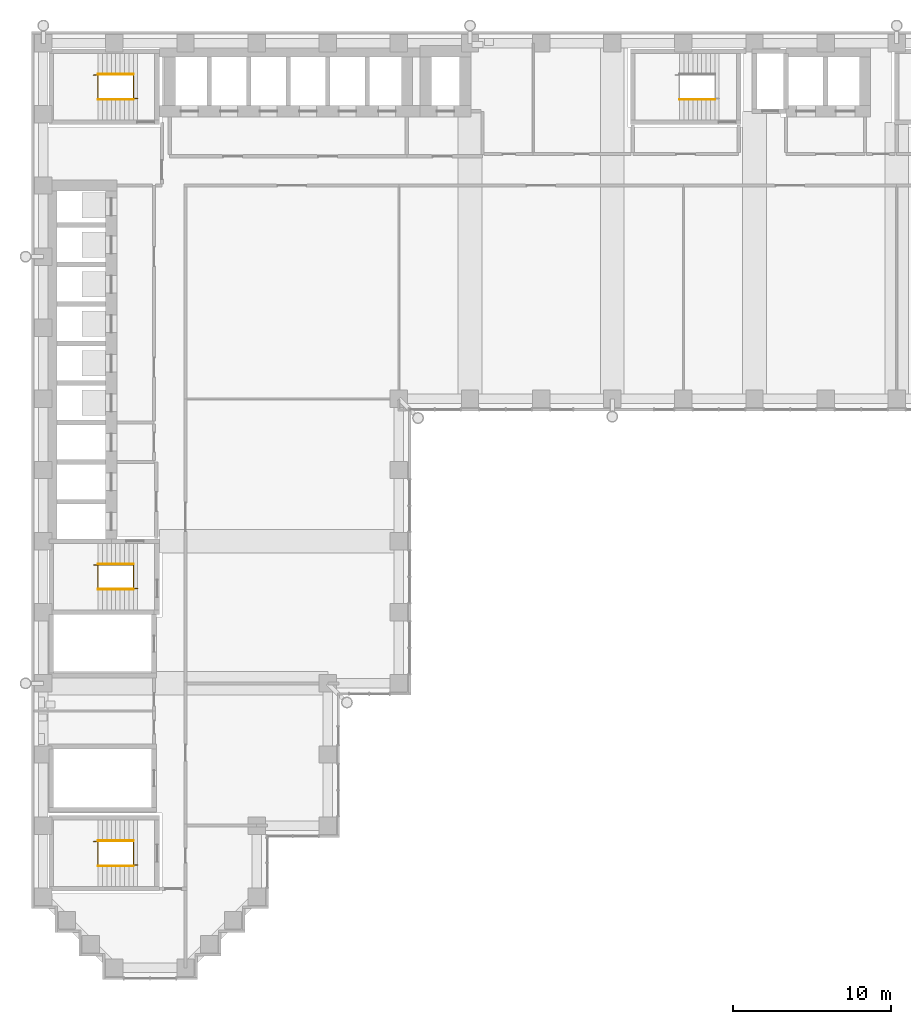
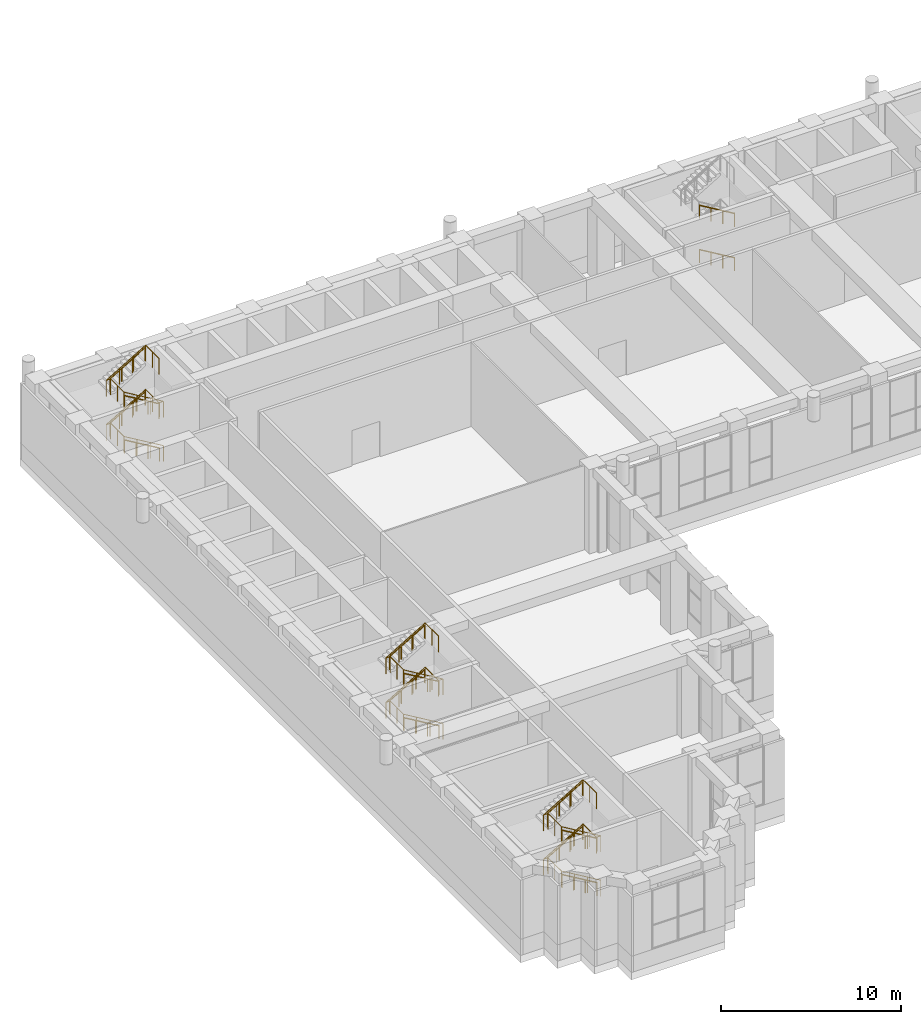
# One storey, part 19 of 22: 17 railings.
"""IFC4 building model written with IfcOpenShell, lengths in metres."""

import ifcopenshell
import ifcopenshell.guid

model = None  # the IFC model being written
_history = None  # IfcOwnerHistory: only IFC2X3 demands one
_inside = {}  # id of a spatial element -> (the spatial element, [elements in it])
_under = {}  # id of a project, library or spatial element -> (it, [spatial elements below it])
_declared = {}  # id of a project -> (the project, [libraries it declares])
_typed = {}  # id of a type object -> (the type object, [elements of that type])
_made_of = {}  # id of a material, layer set ... -> (it, [elements and type objects made of it])


def new_model(schema):
    """Start an empty IFC model of exactly this schema.

    Asked for "IFC4X3", IfcOpenShell would pick the latest addendum, in which some entities
    have other attributes; the version numbers below select the first issue.
    IFC2X3 requires an IfcOwnerHistory on every rooted entity: one is made here for all.
    """
    global model, _history
    if schema == "IFC4X3":
        model = ifcopenshell.file(schema_version=(4, 3, 0, 0))
    else:
        model = ifcopenshell.file(schema=schema)
    _inside.clear()
    _under.clear()
    _declared.clear()
    _typed.clear()
    _made_of.clear()
    _history = None
    if model.schema == "IFC2X3":
        org = make("IfcOrganization", Name="unknown")
        user = make(
            "IfcPersonAndOrganization",
            ThePerson=make("IfcPerson", FamilyName="unknown"),
            TheOrganization=org,
        )
        app = make(
            "IfcApplication",
            ApplicationDeveloper=org,
            Version="unknown",
            ApplicationFullName="unknown",
            ApplicationIdentifier="unknown",
        )
        _history = make(
            "IfcOwnerHistory",
            OwningUser=user,
            OwningApplication=app,
            ChangeAction="ADDED",
            CreationDate=0,
        )
    return model


def make(cls, **values):
    """One entity of the class cls with the attributes given. An attribute that is None is left unset."""
    return model.create_entity(
        cls, **{name: value for name, value in values.items() if value is not None}
    )


def rooted(cls, **values):
    """An entity with a GlobalId (a new one), such as an element, a storey or a relation."""
    return make(cls, GlobalId=ifcopenshell.guid.new(), OwnerHistory=_history, **values)


def si_unit(unit_type, name, prefix=None):
    """IfcSIUnit, for example si_unit("LENGTHUNIT", "METRE", prefix="MILLI")."""
    return make("IfcSIUnit", UnitType=unit_type, Prefix=prefix, Name=name)


def assignment(units):
    """IfcUnitAssignment: the units of a project."""
    return None if units is None else make("IfcUnitAssignment", Units=units)


def point(xyz):
    """IfcCartesianPoint."""
    return None if xyz is None else make("IfcCartesianPoint", Coordinates=xyz)


def direction(xyz):
    """IfcDirection."""
    return None if xyz is None else make("IfcDirection", DirectionRatios=xyz)


def frame(location, z_axis=None, x_axis=None):
    """IfcAxis2Placement3D, a coordinate frame: its origin and axes. An axis left out is left unset."""
    return make(
        "IfcAxis2Placement3D",
        Location=point(location),
        Axis=direction(z_axis),
        RefDirection=direction(x_axis),
    )


def frame_2d(location, x_axis=None):
    """IfcAxis2Placement2D, a coordinate frame in the plane: its origin and x axis."""
    return make(
        "IfcAxis2Placement2D", Location=point(location), RefDirection=direction(x_axis)
    )


def origin():
    """The frame at (0, 0, 0) with its axes left unset."""
    return frame((0.0, 0.0, 0.0))


def origin_2d():
    """The frame at (0, 0) in the plane with its x axis left unset."""
    return frame_2d((0.0, 0.0))


def place(relative_to, where):
    """IfcLocalPlacement: puts the frame where relative to a parent placement (None: the world)."""
    return make(
        "IfcLocalPlacement", PlacementRelTo=relative_to, RelativePlacement=where
    )


def context(
    kind, dimensions, precision=None, world=None, true_north=None, identifier=None
):
    """IfcGeometricRepresentationContext, for example the 3D "Model" context."""
    return make(
        "IfcGeometricRepresentationContext",
        ContextIdentifier=identifier,
        ContextType=kind,
        CoordinateSpaceDimension=dimensions,
        Precision=precision,
        WorldCoordinateSystem=world,
        TrueNorth=true_north,
    )


def subcontext(parent, identifier, kind, view, scale=None):
    """IfcGeometricRepresentationSubContext, for example "Body" below "Model"."""
    return make(
        "IfcGeometricRepresentationSubContext",
        ContextIdentifier=identifier,
        ContextType=kind,
        ParentContext=parent,
        TargetScale=scale,
        TargetView=view,
    )


def project(units=None, contexts=None):
    """IfcProject with its units and contexts."""
    return rooted(
        "IfcProject",
        Name="project",
        RepresentationContexts=contexts,
        UnitsInContext=assignment(units),
    )


def spatial(cls, under=None, at=None, **own):
    """A site, building, storey or space (cls), placed at a placement, below another one or the project."""
    s = rooted(cls, ObjectPlacement=at, **own)
    if under is not None:
        _under.setdefault(under.id(), (under, []))[1].append(s)
    return s


def profile(cls, at=None, kind="AREA", **sizes):
    """A parametric profile (cls). Its sizes go by their IFC names, for example OverallWidth=200.0."""
    return make(cls, ProfileType=kind, Position=at, **sizes)


def circle(**sizes):
    """IfcCircleProfileDef."""
    return profile("IfcCircleProfileDef", **sizes)


def extrude(swept, where, along, depth):
    """IfcExtrudedAreaSolid: the profile swept, set in the frame where, extruded along a direction by depth."""
    return make(
        "IfcExtrudedAreaSolid",
        SweptArea=swept,
        Position=where,
        ExtrudedDirection=direction(along),
        Depth=depth,
    )


def shape(context_of_items, identifier, shape_type, items):
    """IfcShapeRepresentation: the items that make up one representation, for example the "Body"."""
    return make(
        "IfcShapeRepresentation",
        ContextOfItems=context_of_items,
        RepresentationIdentifier=identifier,
        RepresentationType=shape_type,
        Items=items,
    )


def material(Name=None, Category=None):
    """IfcMaterial."""
    return make("IfcMaterial", Name=Name, Category=Category)


def made_of(thing, what):
    """Note that an element or type object is made of a material, layer set ...; save() writes the relation."""
    if what is not None:
        _made_of.setdefault(what.id(), (what, []))[1].append(thing)
    return thing


def type_object(cls, material=None, **own):
    """A type object (cls), such as IfcWallType, which elements share."""
    return made_of(rooted(cls, **own), material)


def element(
    cls,
    number,
    at=None,
    inside=None,
    cuts=None,
    type_object=None,
    material=None,
    context=None,
    identifier="Body",
    shape_type=None,
    held_by="IfcProductDefinitionShape",
    body=None,
    shapes=None,
    **own,
):
    """One element of the class cls, such as IfcWall. Its Tag is "e" and its number.

    at: its placement. inside: the storey or other place that contains it. cuts: it is an
    opening in that element (IfcRelVoidsElement). A single representation is given by context,
    identifier, shape_type and body (its items); several are given by shapes. held_by: the class
    of the entity that holds the representations. save() writes the other relations.
    """
    e = rooted(cls, Tag="e%d" % number, ObjectPlacement=at, **own)
    if body is not None:
        shapes = [shape(context, identifier, shape_type, body)]
    if shapes is not None:
        e.Representation = make(held_by, Representations=shapes)
    if inside is not None:
        _inside.setdefault(inside.id(), (inside, []))[1].append(e)
    if cuts is not None:
        rooted(
            "IfcRelVoidsElement", RelatingBuildingElement=cuts, RelatedOpeningElement=e
        )
    if type_object is not None:
        _typed.setdefault(type_object.id(), (type_object, []))[1].append(e)
    return made_of(e, material)


def aggregate(whole, parts):
    """IfcRelAggregates: a whole, such as a stair, and the parts it consists of."""
    return rooted("IfcRelAggregates", RelatingObject=whole, RelatedObjects=parts)


def save(model, path):
    """Write the relations noted so far, then the file.

    IfcRelAggregates (storeys below a building ...), IfcRelContainedInSpatialStructure (elements
    in a storey), IfcRelDefinesByType, IfcRelAssociatesMaterial and IfcRelDeclares: one each for
    every whole, place, type object, material and project.
    """
    for whole, parts in _under.values():
        aggregate(whole, parts)
    for where, things in _inside.values():
        rooted(
            "IfcRelContainedInSpatialStructure",
            RelatedElements=things,
            RelatingStructure=where,
        )
    for kind, things in _typed.values():
        rooted("IfcRelDefinesByType", RelatedObjects=things, RelatingType=kind)
    for what, things in _made_of.values():
        rooted("IfcRelAssociatesMaterial", RelatedObjects=things, RelatingMaterial=what)
    for by, libraries in _declared.values():
        rooted("IfcRelDeclares", RelatingContext=by, RelatedDefinitions=libraries)
    model.write(path)


model = new_model("IFC4")

# Units and contexts
model_context = context("Model", 3, precision=1e-05, world=origin(), true_north=direction((0.0, 1.0)))
body_context = subcontext(model_context, "Body", "Model", "MODEL_VIEW")
ifc_project = project(units=[si_unit("LENGTHUNIT", "METRE"), si_unit("AREAUNIT", "SQUARE_METRE"), si_unit("VOLUMEUNIT", "CUBIC_METRE"), si_unit("PLANEANGLEUNIT", "RADIAN"), si_unit("MASSUNIT", "GRAM", prefix="KILO")], contexts=[model_context])

# Site, building, storey
site_placement = place(None, origin())
site = spatial("IfcSite", under=ifc_project, at=site_placement, CompositionType="ELEMENT")
building_placement = place(site_placement, origin())
building = spatial("IfcBuilding", under=site, at=building_placement, Name="Firuza Court", CompositionType="ELEMENT")
storey_placement = place(building_placement, frame((0.0, 0.0, 113.60009765625)))
storey = spatial("IfcBuildingStorey", under=building, at=storey_placement, Name="L28", CompositionType="ELEMENT", Elevation=113.60009765625)

# Railings
ifc_material_1 = material(Name="Steel S355", Category="steel")
railing_type_1 = type_object("IfcRailingType", Name="Handrail 900", PredefinedType="HANDRAIL", material=ifc_material_1)
for number, where, name in (
    (1, (42.5, 54.949951171875, 0.16650390625), "Handrail S1 flight 1"),
    (2, (42.5, 54.949951171875, 3.16650390625), "Handrail S1 flight 3"),
    (3, (5.699951171875, 23.949951171875, 0.16650390625), "Handrail S2 flight 1"),
):
    element("IfcRailing", number, at=place(storey_placement, frame(where)), inside=storey, type_object=railing_type_1, Name=name, PredefinedType="HANDRAIL", context=body_context, shape_type="SweptSolid", body=[
        extrude(circle(Radius=0.02490234375, at=origin_2d()), frame((0.0, 0.0, 0.875), z_axis=(-0.859264461869, 0.0, 0.511531606619), x_axis=(0.0, -1.0, 0.0)), (0.0, 0.0, 1.0), 2.60693359375),
        extrude(circle(Radius=0.02001953125, at=origin_2d()), origin(), (0.0, 0.0, 1.0), 0.849853515625),
        extrude(circle(Radius=0.02001953125, at=origin_2d()), frame((-0.74658203125, 0.0, 0.444580078125)), (0.0, 0.0, 1.0), 0.849853515625),
        extrude(circle(Radius=0.02001953125, at=origin_2d()), frame((-1.493408203125, 0.0, 0.888916015625)), (0.0, 0.0, 1.0), 0.849853515625),
        extrude(circle(Radius=0.02001953125, at=origin_2d()), frame((-2.239990234375, 0.0, 1.33349609375)), (0.0, 0.0, 1.0), 0.849853515625),
    ])
railing_1_placement = place(storey_placement, frame((3.4599609375, 25.550048828125, 1.66650390625)))
element("IfcRailing", 4, at=railing_1_placement, inside=storey, type_object=railing_type_1, Name="Handrail S2 flight 2", PredefinedType="HANDRAIL", context=body_context, shape_type="SweptSolid", body=[
    extrude(circle(Radius=0.02490234375, at=origin_2d()), frame((0.0, 0.0, 0.875), z_axis=(0.859264461869, 0.0, 0.511531606619), x_axis=(0.0, 1.0, 0.0)), (0.0, 0.0, 1.0), 2.60693359375),
    extrude(circle(Radius=0.02001953125, at=origin_2d()), origin(), (0.0, 0.0, 1.0), 0.849853515625),
    extrude(circle(Radius=0.02001953125, at=origin_2d()), frame((0.74658203125, 0.0, 0.444580078125)), (0.0, 0.0, 1.0), 0.849853515625),
    extrude(circle(Radius=0.02001953125, at=origin_2d()), frame((1.493408203125, 0.0, 0.888916015625)), (0.0, 0.0, 1.0), 0.849853515625),
    extrude(circle(Radius=0.02001953125, at=origin_2d()), frame((2.239990234375, 0.0, 1.33349609375)), (0.0, 0.0, 1.0), 0.849853515625),
])
railing_2_placement = place(storey_placement, frame((5.699951171875, 23.949951171875, 3.16650390625)))
element("IfcRailing", 5, at=railing_2_placement, inside=storey, type_object=railing_type_1, Name="Handrail S2 flight 3", PredefinedType="HANDRAIL", context=body_context, shape_type="SweptSolid", body=[
    extrude(circle(Radius=0.02490234375, at=origin_2d()), frame((0.0, 0.0, 0.875), z_axis=(-0.859264461869, 0.0, 0.511531606619), x_axis=(0.0, -1.0, 0.0)), (0.0, 0.0, 1.0), 2.60693359375),
    extrude(circle(Radius=0.02001953125, at=origin_2d()), origin(), (0.0, 0.0, 1.0), 0.849853515625),
    extrude(circle(Radius=0.02001953125, at=origin_2d()), frame((-0.74658203125, 0.0, 0.444580078125)), (0.0, 0.0, 1.0), 0.849853515625),
    extrude(circle(Radius=0.02001953125, at=origin_2d()), frame((-1.493408203125, 0.0, 0.888916015625)), (0.0, 0.0, 1.0), 0.849853515625),
    extrude(circle(Radius=0.02001953125, at=origin_2d()), frame((-2.239990234375, 0.0, 1.33349609375)), (0.0, 0.0, 1.0), 0.849853515625),
])
railing_3_placement = place(storey_placement, frame((3.4599609375, 25.550048828125, 4.66650390625)))
element("IfcRailing", 6, at=railing_3_placement, inside=storey, type_object=railing_type_1, Name="Handrail S2 flight 4", PredefinedType="HANDRAIL", context=body_context, shape_type="SweptSolid", body=[
    extrude(circle(Radius=0.02490234375, at=origin_2d()), frame((0.0, 0.0, 0.875), z_axis=(0.859264461869, 0.0, 0.511531606619), x_axis=(0.0, 1.0, 0.0)), (0.0, 0.0, 1.0), 2.60693359375),
    extrude(circle(Radius=0.02001953125, at=origin_2d()), origin(), (0.0, 0.0, 1.0), 0.849853515625),
    extrude(circle(Radius=0.02001953125, at=origin_2d()), frame((0.74658203125, 0.0, 0.444580078125)), (0.0, 0.0, 1.0), 0.849853515625),
    extrude(circle(Radius=0.02001953125, at=origin_2d()), frame((1.493408203125, 0.0, 0.888916015625)), (0.0, 0.0, 1.0), 0.849853515625),
    extrude(circle(Radius=0.02001953125, at=origin_2d()), frame((2.239990234375, 0.0, 1.33349609375)), (0.0, 0.0, 1.0), 0.849853515625),
])
railing_4_placement = place(storey_placement, frame((5.699951171875, 54.949951171875, 0.16650390625)))
element("IfcRailing", 7, at=railing_4_placement, inside=storey, type_object=railing_type_1, Name="Handrail S3 flight 1", PredefinedType="HANDRAIL", context=body_context, shape_type="SweptSolid", body=[
    extrude(circle(Radius=0.02490234375, at=origin_2d()), frame((0.0, 0.0, 0.875), z_axis=(-0.859264461869, 0.0, 0.511531606619), x_axis=(0.0, -1.0, 0.0)), (0.0, 0.0, 1.0), 2.60693359375),
    extrude(circle(Radius=0.02001953125, at=origin_2d()), origin(), (0.0, 0.0, 1.0), 0.849853515625),
    extrude(circle(Radius=0.02001953125, at=origin_2d()), frame((-0.74658203125, 0.0, 0.444580078125)), (0.0, 0.0, 1.0), 0.849853515625),
    extrude(circle(Radius=0.02001953125, at=origin_2d()), frame((-1.493408203125, 0.0, 0.888916015625)), (0.0, 0.0, 1.0), 0.849853515625),
    extrude(circle(Radius=0.02001953125, at=origin_2d()), frame((-2.239990234375, 0.0, 1.33349609375)), (0.0, 0.0, 1.0), 0.849853515625),
])
railing_5_placement = place(storey_placement, frame((3.4599609375, 56.550048828125, 1.66650390625)))
element("IfcRailing", 8, at=railing_5_placement, inside=storey, type_object=railing_type_1, Name="Handrail S3 flight 2", PredefinedType="HANDRAIL", context=body_context, shape_type="SweptSolid", body=[
    extrude(circle(Radius=0.02490234375, at=origin_2d()), frame((0.0, 0.0, 0.875), z_axis=(0.859264461869, 0.0, 0.511531606619), x_axis=(0.0, 1.0, 0.0)), (0.0, 0.0, 1.0), 2.60693359375),
    extrude(circle(Radius=0.02001953125, at=origin_2d()), origin(), (0.0, 0.0, 1.0), 0.849853515625),
    extrude(circle(Radius=0.02001953125, at=origin_2d()), frame((0.74658203125, 0.0, 0.444580078125)), (0.0, 0.0, 1.0), 0.849853515625),
    extrude(circle(Radius=0.02001953125, at=origin_2d()), frame((1.493408203125, 0.0, 0.888916015625)), (0.0, 0.0, 1.0), 0.849853515625),
    extrude(circle(Radius=0.02001953125, at=origin_2d()), frame((2.239990234375, 0.0, 1.33349609375)), (0.0, 0.0, 1.0), 0.849853515625),
])
railing_6_placement = place(storey_placement, frame((5.699951171875, 54.949951171875, 3.16650390625)))
element("IfcRailing", 9, at=railing_6_placement, inside=storey, type_object=railing_type_1, Name="Handrail S3 flight 3", PredefinedType="HANDRAIL", context=body_context, shape_type="SweptSolid", body=[
    extrude(circle(Radius=0.02490234375, at=origin_2d()), frame((0.0, 0.0, 0.875), z_axis=(-0.859264461869, 0.0, 0.511531606619), x_axis=(0.0, -1.0, 0.0)), (0.0, 0.0, 1.0), 2.60693359375),
    extrude(circle(Radius=0.02001953125, at=origin_2d()), origin(), (0.0, 0.0, 1.0), 0.849853515625),
    extrude(circle(Radius=0.02001953125, at=origin_2d()), frame((-0.74658203125, 0.0, 0.444580078125)), (0.0, 0.0, 1.0), 0.849853515625),
    extrude(circle(Radius=0.02001953125, at=origin_2d()), frame((-1.493408203125, 0.0, 0.888916015625)), (0.0, 0.0, 1.0), 0.849853515625),
    extrude(circle(Radius=0.02001953125, at=origin_2d()), frame((-2.239990234375, 0.0, 1.33349609375)), (0.0, 0.0, 1.0), 0.849853515625),
])
railing_7_placement = place(storey_placement, frame((3.4599609375, 56.550048828125, 4.66650390625)))
element("IfcRailing", 10, at=railing_7_placement, inside=storey, type_object=railing_type_1, Name="Handrail S3 flight 4", PredefinedType="HANDRAIL", context=body_context, shape_type="SweptSolid", body=[
    extrude(circle(Radius=0.02490234375, at=origin_2d()), frame((0.0, 0.0, 0.875), z_axis=(0.859264461869, 0.0, 0.511531606619), x_axis=(0.0, 1.0, 0.0)), (0.0, 0.0, 1.0), 2.60693359375),
    extrude(circle(Radius=0.02001953125, at=origin_2d()), origin(), (0.0, 0.0, 1.0), 0.849853515625),
    extrude(circle(Radius=0.02001953125, at=origin_2d()), frame((0.74658203125, 0.0, 0.444580078125)), (0.0, 0.0, 1.0), 0.849853515625),
    extrude(circle(Radius=0.02001953125, at=origin_2d()), frame((1.493408203125, 0.0, 0.888916015625)), (0.0, 0.0, 1.0), 0.849853515625),
    extrude(circle(Radius=0.02001953125, at=origin_2d()), frame((2.239990234375, 0.0, 1.33349609375)), (0.0, 0.0, 1.0), 0.849853515625),
])
railing_8_placement = place(storey_placement, frame((5.699951171875, 6.449951171875, 0.16650390625)))
element("IfcRailing", 11, at=railing_8_placement, inside=storey, type_object=railing_type_1, Name="Handrail S5 flight 1", PredefinedType="HANDRAIL", context=body_context, shape_type="SweptSolid", body=[
    extrude(circle(Radius=0.02490234375, at=origin_2d()), frame((0.0, 0.0, 0.875), z_axis=(-0.859264461869, 0.0, 0.511531606619), x_axis=(0.0, -1.0, 0.0)), (0.0, 0.0, 1.0), 2.60693359375),
    extrude(circle(Radius=0.02001953125, at=origin_2d()), origin(), (0.0, 0.0, 1.0), 0.849853515625),
    extrude(circle(Radius=0.02001953125, at=origin_2d()), frame((-0.74658203125, 0.0, 0.444580078125)), (0.0, 0.0, 1.0), 0.849853515625),
    extrude(circle(Radius=0.02001953125, at=origin_2d()), frame((-1.493408203125, 0.0, 0.888916015625)), (0.0, 0.0, 1.0), 0.849853515625),
    extrude(circle(Radius=0.02001953125, at=origin_2d()), frame((-2.239990234375, 0.0, 1.33349609375)), (0.0, 0.0, 1.0), 0.849853515625),
])
railing_9_placement = place(storey_placement, frame((3.4599609375, 8.050048828125, 1.66650390625)))
element("IfcRailing", 12, at=railing_9_placement, inside=storey, type_object=railing_type_1, Name="Handrail S5 flight 2", PredefinedType="HANDRAIL", context=body_context, shape_type="SweptSolid", body=[
    extrude(circle(Radius=0.02490234375, at=origin_2d()), frame((0.0, 0.0, 0.875), z_axis=(0.859264461869, 0.0, 0.511531606619), x_axis=(0.0, 1.0, 0.0)), (0.0, 0.0, 1.0), 2.60693359375),
    extrude(circle(Radius=0.02001953125, at=origin_2d()), origin(), (0.0, 0.0, 1.0), 0.849853515625),
    extrude(circle(Radius=0.02001953125, at=origin_2d()), frame((0.74658203125, 0.0, 0.444580078125)), (0.0, 0.0, 1.0), 0.849853515625),
    extrude(circle(Radius=0.02001953125, at=origin_2d()), frame((1.493408203125, 0.0, 0.888916015625)), (0.0, 0.0, 1.0), 0.849853515625),
    extrude(circle(Radius=0.02001953125, at=origin_2d()), frame((2.239990234375, 0.0, 1.33349609375)), (0.0, 0.0, 1.0), 0.849853515625),
])
railing_10_placement = place(storey_placement, frame((5.699951171875, 6.449951171875, 3.16650390625)))
element("IfcRailing", 13, at=railing_10_placement, inside=storey, type_object=railing_type_1, Name="Handrail S5 flight 3", PredefinedType="HANDRAIL", context=body_context, shape_type="SweptSolid", body=[
    extrude(circle(Radius=0.02490234375, at=origin_2d()), frame((0.0, 0.0, 0.875), z_axis=(-0.859264461869, 0.0, 0.511531606619), x_axis=(0.0, -1.0, 0.0)), (0.0, 0.0, 1.0), 2.60693359375),
    extrude(circle(Radius=0.02001953125, at=origin_2d()), origin(), (0.0, 0.0, 1.0), 0.849853515625),
    extrude(circle(Radius=0.02001953125, at=origin_2d()), frame((-0.74658203125, 0.0, 0.444580078125)), (0.0, 0.0, 1.0), 0.849853515625),
    extrude(circle(Radius=0.02001953125, at=origin_2d()), frame((-1.493408203125, 0.0, 0.888916015625)), (0.0, 0.0, 1.0), 0.849853515625),
    extrude(circle(Radius=0.02001953125, at=origin_2d()), frame((-2.239990234375, 0.0, 1.33349609375)), (0.0, 0.0, 1.0), 0.849853515625),
])
railing_11_placement = place(storey_placement, frame((3.4599609375, 8.050048828125, 4.66650390625)))
element("IfcRailing", 14, at=railing_11_placement, inside=storey, type_object=railing_type_1, Name="Handrail S5 flight 4", PredefinedType="HANDRAIL", context=body_context, shape_type="SweptSolid", body=[
    extrude(circle(Radius=0.02490234375, at=origin_2d()), frame((0.0, 0.0, 0.875), z_axis=(0.859264461869, 0.0, 0.511531606619), x_axis=(0.0, 1.0, 0.0)), (0.0, 0.0, 1.0), 2.60693359375),
    extrude(circle(Radius=0.02001953125, at=origin_2d()), origin(), (0.0, 0.0, 1.0), 0.849853515625),
    extrude(circle(Radius=0.02001953125, at=origin_2d()), frame((0.74658203125, 0.0, 0.444580078125)), (0.0, 0.0, 1.0), 0.849853515625),
    extrude(circle(Radius=0.02001953125, at=origin_2d()), frame((1.493408203125, 0.0, 0.888916015625)), (0.0, 0.0, 1.0), 0.849853515625),
    extrude(circle(Radius=0.02001953125, at=origin_2d()), frame((2.239990234375, 0.0, 1.33349609375)), (0.0, 0.0, 1.0), 0.849853515625),
])
ifc_material_2 = material(Name="Steel S355", Category="steel")
railing_type_2 = type_object("IfcRailingType", Name="Stair guard 1100", PredefinedType="GUARDRAIL", material=ifc_material_2)
railing_12_placement = place(storey_placement, frame((5.97998046875, 24.010009765625, 0.0)))
element("IfcRailing", 15, at=railing_12_placement, inside=storey, type_object=railing_type_2, Name="Stair well guard S2", PredefinedType="GUARDRAIL", context=body_context, shape_type="SweptSolid", body=[
    extrude(circle(Radius=0.02490234375, at=origin_2d()), frame((0.0, 0.0, 1.0751953125), z_axis=(-0.859294626741, 0.0, 0.511480932639), x_axis=(0.0, -1.0, 0.0)), (0.0, 0.0, 1.0), 2.9326171875),
    extrude(circle(Radius=0.02490234375, at=origin_2d()), frame((-2.52001953125, 0.0, 2.5751953125), z_axis=(0.0, 1.0, 0.0), x_axis=(-1.0, 0.0, 0.0)), (0.0, 0.0, 1.0), 1.47998046875),
    extrude(circle(Radius=0.02490234375, at=origin_2d()), frame((-2.52001953125, 1.47998046875, 2.5751953125), z_axis=(-1.0, 0.0, 0.0), x_axis=(0.0, -1.0, 0.0)), (0.0, 0.0, 1.0), 0.280029296875),
    extrude(circle(Radius=0.02490234375, at=origin_2d()), frame((-2.800048828125, 1.47998046875, 2.5751953125), z_axis=(0.859294626741, 0.0, 0.511480932639), x_axis=(0.0, 1.0, 0.0)), (0.0, 0.0, 1.0), 2.9326171875),
    extrude(circle(Radius=0.02490234375, at=origin_2d()), frame((-0.280029296875, 1.47998046875, 4.0751953125), z_axis=(0.0, -1.0, 0.0), x_axis=(1.0, 0.0, 0.0)), (0.0, 0.0, 1.0), 1.47998046875),
    extrude(circle(Radius=0.02490234375, at=origin_2d()), frame((-0.280029296875, 0.0, 4.0751953125), z_axis=(1.0, 0.0, 0.0), x_axis=(0.0, 1.0, 0.0)), (0.0, 0.0, 1.0), 0.280029296875),
    extrude(circle(Radius=0.02490234375, at=origin_2d()), frame((0.0, 0.0, 4.0751953125), z_axis=(-0.859294626741, 0.0, 0.511480932639), x_axis=(0.0, -1.0, 0.0)), (0.0, 0.0, 1.0), 2.9326171875),
    extrude(circle(Radius=0.02490234375, at=origin_2d()), frame((-2.52001953125, 0.0, 5.5751953125), z_axis=(0.0, 1.0, 0.0), x_axis=(-1.0, 0.0, 0.0)), (0.0, 0.0, 1.0), 1.47998046875),
    extrude(circle(Radius=0.02490234375, at=origin_2d()), frame((-2.52001953125, 1.47998046875, 5.5751953125), z_axis=(-1.0, 0.0, 0.0), x_axis=(0.0, -1.0, 0.0)), (0.0, 0.0, 1.0), 0.280029296875),
    extrude(circle(Radius=0.02490234375, at=origin_2d()), frame((-2.800048828125, 1.47998046875, 5.5751953125), z_axis=(0.859294626741, 0.0, 0.511480932639), x_axis=(0.0, 1.0, 0.0)), (0.0, 0.0, 1.0), 2.9326171875),
    extrude(circle(Radius=0.02490234375, at=origin_2d()), frame((-0.280029296875, 1.47998046875, 7.0751953125), z_axis=(0.0, -1.0, 0.0), x_axis=(1.0, 0.0, 0.0)), (0.0, 0.0, 1.0), 1.47998046875),
    extrude(circle(Radius=0.02490234375, at=origin_2d()), origin(), (0.0, 0.0, 1.0), 1.050048828125),
    extrude(circle(Radius=0.02490234375, at=origin_2d()), frame((-0.840087890625, 0.0, 0.5)), (0.0, 0.0, 1.0), 1.050048828125),
    extrude(circle(Radius=0.02490234375, at=origin_2d()), frame((-1.679931640625, 0.0, 1.0)), (0.0, 0.0, 1.0), 1.050048828125),
    extrude(circle(Radius=0.02490234375, at=origin_2d()), frame((-2.52001953125, 0.0, 1.5)), (0.0, 0.0, 1.0), 1.050048828125),
    extrude(circle(Radius=0.02490234375, at=origin_2d()), frame((-2.52001953125, 0.739990234375, 1.5)), (0.0, 0.0, 1.0), 1.050048828125),
    extrude(circle(Radius=0.02490234375, at=origin_2d()), frame((-2.52001953125, 1.47998046875, 1.5)), (0.0, 0.0, 1.0), 1.050048828125),
    extrude(circle(Radius=0.02490234375, at=origin_2d()), frame((-2.800048828125, 1.47998046875, 1.5)), (0.0, 0.0, 1.0), 1.050048828125),
    extrude(circle(Radius=0.02490234375, at=origin_2d()), frame((-1.9599609375, 1.47998046875, 2.0)), (0.0, 0.0, 1.0), 1.050048828125),
    extrude(circle(Radius=0.02490234375, at=origin_2d()), frame((-1.1201171875, 1.47998046875, 2.5)), (0.0, 0.0, 1.0), 1.050048828125),
    extrude(circle(Radius=0.02490234375, at=origin_2d()), frame((-0.280029296875, 1.47998046875, 3.0)), (0.0, 0.0, 1.0), 1.050048828125),
    extrude(circle(Radius=0.02490234375, at=origin_2d()), frame((-0.280029296875, 0.739990234375, 3.0)), (0.0, 0.0, 1.0), 1.050048828125),
    extrude(circle(Radius=0.02490234375, at=origin_2d()), frame((-0.280029296875, 0.0, 3.0)), (0.0, 0.0, 1.0), 1.050048828125),
    extrude(circle(Radius=0.02490234375, at=origin_2d()), frame((0.0, 0.0, 3.0)), (0.0, 0.0, 1.0), 1.050048828125),
    extrude(circle(Radius=0.02490234375, at=origin_2d()), frame((-0.840087890625, 0.0, 3.5)), (0.0, 0.0, 1.0), 1.050048828125),
    extrude(circle(Radius=0.02490234375, at=origin_2d()), frame((-1.679931640625, 0.0, 4.0)), (0.0, 0.0, 1.0), 1.050048828125),
    extrude(circle(Radius=0.02490234375, at=origin_2d()), frame((-2.52001953125, 0.0, 4.5)), (0.0, 0.0, 1.0), 1.050048828125),
    extrude(circle(Radius=0.02490234375, at=origin_2d()), frame((-2.52001953125, 0.739990234375, 4.5)), (0.0, 0.0, 1.0), 1.050048828125),
    extrude(circle(Radius=0.02490234375, at=origin_2d()), frame((-2.52001953125, 1.47998046875, 4.5)), (0.0, 0.0, 1.0), 1.050048828125),
    extrude(circle(Radius=0.02490234375, at=origin_2d()), frame((-2.800048828125, 1.47998046875, 4.5)), (0.0, 0.0, 1.0), 1.050048828125),
    extrude(circle(Radius=0.02490234375, at=origin_2d()), frame((-1.9599609375, 1.47998046875, 5.0)), (0.0, 0.0, 1.0), 1.050048828125),
    extrude(circle(Radius=0.02490234375, at=origin_2d()), frame((-1.1201171875, 1.47998046875, 5.5)), (0.0, 0.0, 1.0), 1.050048828125),
    extrude(circle(Radius=0.02490234375, at=origin_2d()), frame((-0.280029296875, 1.47998046875, 6.0)), (0.0, 0.0, 1.0), 1.050048828125),
    extrude(circle(Radius=0.02490234375, at=origin_2d()), frame((-0.280029296875, 0.739990234375, 6.0)), (0.0, 0.0, 1.0), 1.050048828125),
    extrude(circle(Radius=0.02490234375, at=origin_2d()), frame((-0.280029296875, 0.0, 6.0)), (0.0, 0.0, 1.0), 1.050048828125),
])
railing_13_placement = place(storey_placement, frame((5.97998046875, 55.010009765625, 0.0)))
element("IfcRailing", 16, at=railing_13_placement, inside=storey, type_object=railing_type_2, Name="Stair well guard S3", PredefinedType="GUARDRAIL", context=body_context, shape_type="SweptSolid", body=[
    extrude(circle(Radius=0.02490234375, at=origin_2d()), frame((0.0, 0.0, 1.0751953125), z_axis=(-0.859294626741, 0.0, 0.511480932639), x_axis=(0.0, -1.0, 0.0)), (0.0, 0.0, 1.0), 2.9326171875),
    extrude(circle(Radius=0.02490234375, at=origin_2d()), frame((-2.52001953125, 0.0, 2.5751953125), z_axis=(0.0, 1.0, 0.0), x_axis=(-1.0, 0.0, 0.0)), (0.0, 0.0, 1.0), 1.47998046875),
    extrude(circle(Radius=0.02490234375, at=origin_2d()), frame((-2.52001953125, 1.47998046875, 2.5751953125), z_axis=(-1.0, 0.0, 0.0), x_axis=(0.0, -1.0, 0.0)), (0.0, 0.0, 1.0), 0.280029296875),
    extrude(circle(Radius=0.02490234375, at=origin_2d()), frame((-2.800048828125, 1.47998046875, 2.5751953125), z_axis=(0.859294626741, 0.0, 0.511480932639), x_axis=(0.0, 1.0, 0.0)), (0.0, 0.0, 1.0), 2.9326171875),
    extrude(circle(Radius=0.02490234375, at=origin_2d()), frame((-0.280029296875, 1.47998046875, 4.0751953125), z_axis=(0.0, -1.0, 0.0), x_axis=(1.0, 0.0, 0.0)), (0.0, 0.0, 1.0), 1.47998046875),
    extrude(circle(Radius=0.02490234375, at=origin_2d()), frame((-0.280029296875, 0.0, 4.0751953125), z_axis=(1.0, 0.0, 0.0), x_axis=(0.0, 1.0, 0.0)), (0.0, 0.0, 1.0), 0.280029296875),
    extrude(circle(Radius=0.02490234375, at=origin_2d()), frame((0.0, 0.0, 4.0751953125), z_axis=(-0.859294626741, 0.0, 0.511480932639), x_axis=(0.0, -1.0, 0.0)), (0.0, 0.0, 1.0), 2.9326171875),
    extrude(circle(Radius=0.02490234375, at=origin_2d()), frame((-2.52001953125, 0.0, 5.5751953125), z_axis=(0.0, 1.0, 0.0), x_axis=(-1.0, 0.0, 0.0)), (0.0, 0.0, 1.0), 1.47998046875),
    extrude(circle(Radius=0.02490234375, at=origin_2d()), frame((-2.52001953125, 1.47998046875, 5.5751953125), z_axis=(-1.0, 0.0, 0.0), x_axis=(0.0, -1.0, 0.0)), (0.0, 0.0, 1.0), 0.280029296875),
    extrude(circle(Radius=0.02490234375, at=origin_2d()), frame((-2.800048828125, 1.47998046875, 5.5751953125), z_axis=(0.859294626741, 0.0, 0.511480932639), x_axis=(0.0, 1.0, 0.0)), (0.0, 0.0, 1.0), 2.9326171875),
    extrude(circle(Radius=0.02490234375, at=origin_2d()), frame((-0.280029296875, 1.47998046875, 7.0751953125), z_axis=(0.0, -1.0, 0.0), x_axis=(1.0, 0.0, 0.0)), (0.0, 0.0, 1.0), 1.47998046875),
    extrude(circle(Radius=0.02490234375, at=origin_2d()), origin(), (0.0, 0.0, 1.0), 1.050048828125),
    extrude(circle(Radius=0.02490234375, at=origin_2d()), frame((-0.840087890625, 0.0, 0.5)), (0.0, 0.0, 1.0), 1.050048828125),
    extrude(circle(Radius=0.02490234375, at=origin_2d()), frame((-1.679931640625, 0.0, 1.0)), (0.0, 0.0, 1.0), 1.050048828125),
    extrude(circle(Radius=0.02490234375, at=origin_2d()), frame((-2.52001953125, 0.0, 1.5)), (0.0, 0.0, 1.0), 1.050048828125),
    extrude(circle(Radius=0.02490234375, at=origin_2d()), frame((-2.52001953125, 0.739990234375, 1.5)), (0.0, 0.0, 1.0), 1.050048828125),
    extrude(circle(Radius=0.02490234375, at=origin_2d()), frame((-2.52001953125, 1.47998046875, 1.5)), (0.0, 0.0, 1.0), 1.050048828125),
    extrude(circle(Radius=0.02490234375, at=origin_2d()), frame((-2.800048828125, 1.47998046875, 1.5)), (0.0, 0.0, 1.0), 1.050048828125),
    extrude(circle(Radius=0.02490234375, at=origin_2d()), frame((-1.9599609375, 1.47998046875, 2.0)), (0.0, 0.0, 1.0), 1.050048828125),
    extrude(circle(Radius=0.02490234375, at=origin_2d()), frame((-1.1201171875, 1.47998046875, 2.5)), (0.0, 0.0, 1.0), 1.050048828125),
    extrude(circle(Radius=0.02490234375, at=origin_2d()), frame((-0.280029296875, 1.47998046875, 3.0)), (0.0, 0.0, 1.0), 1.050048828125),
    extrude(circle(Radius=0.02490234375, at=origin_2d()), frame((-0.280029296875, 0.739990234375, 3.0)), (0.0, 0.0, 1.0), 1.050048828125),
    extrude(circle(Radius=0.02490234375, at=origin_2d()), frame((-0.280029296875, 0.0, 3.0)), (0.0, 0.0, 1.0), 1.050048828125),
    extrude(circle(Radius=0.02490234375, at=origin_2d()), frame((0.0, 0.0, 3.0)), (0.0, 0.0, 1.0), 1.050048828125),
    extrude(circle(Radius=0.02490234375, at=origin_2d()), frame((-0.840087890625, 0.0, 3.5)), (0.0, 0.0, 1.0), 1.050048828125),
    extrude(circle(Radius=0.02490234375, at=origin_2d()), frame((-1.679931640625, 0.0, 4.0)), (0.0, 0.0, 1.0), 1.050048828125),
    extrude(circle(Radius=0.02490234375, at=origin_2d()), frame((-2.52001953125, 0.0, 4.5)), (0.0, 0.0, 1.0), 1.050048828125),
    extrude(circle(Radius=0.02490234375, at=origin_2d()), frame((-2.52001953125, 0.739990234375, 4.5)), (0.0, 0.0, 1.0), 1.050048828125),
    extrude(circle(Radius=0.02490234375, at=origin_2d()), frame((-2.52001953125, 1.47998046875, 4.5)), (0.0, 0.0, 1.0), 1.050048828125),
    extrude(circle(Radius=0.02490234375, at=origin_2d()), frame((-2.800048828125, 1.47998046875, 4.5)), (0.0, 0.0, 1.0), 1.050048828125),
    extrude(circle(Radius=0.02490234375, at=origin_2d()), frame((-1.9599609375, 1.47998046875, 5.0)), (0.0, 0.0, 1.0), 1.050048828125),
    extrude(circle(Radius=0.02490234375, at=origin_2d()), frame((-1.1201171875, 1.47998046875, 5.5)), (0.0, 0.0, 1.0), 1.050048828125),
    extrude(circle(Radius=0.02490234375, at=origin_2d()), frame((-0.280029296875, 1.47998046875, 6.0)), (0.0, 0.0, 1.0), 1.050048828125),
    extrude(circle(Radius=0.02490234375, at=origin_2d()), frame((-0.280029296875, 0.739990234375, 6.0)), (0.0, 0.0, 1.0), 1.050048828125),
    extrude(circle(Radius=0.02490234375, at=origin_2d()), frame((-0.280029296875, 0.0, 6.0)), (0.0, 0.0, 1.0), 1.050048828125),
])
railing_14_placement = place(storey_placement, frame((5.97998046875, 6.510009765625, 0.0)))
element("IfcRailing", 17, at=railing_14_placement, inside=storey, type_object=railing_type_2, Name="Stair well guard S5", PredefinedType="GUARDRAIL", context=body_context, shape_type="SweptSolid", body=[
    extrude(circle(Radius=0.02490234375, at=origin_2d()), frame((0.0, 0.0, 1.0751953125), z_axis=(-0.859294626741, 0.0, 0.511480932639), x_axis=(0.0, -1.0, 0.0)), (0.0, 0.0, 1.0), 2.9326171875),
    extrude(circle(Radius=0.02490234375, at=origin_2d()), frame((-2.52001953125, 0.0, 2.5751953125), z_axis=(0.0, 1.0, 0.0), x_axis=(-1.0, 0.0, 0.0)), (0.0, 0.0, 1.0), 1.47998046875),
    extrude(circle(Radius=0.02490234375, at=origin_2d()), frame((-2.52001953125, 1.47998046875, 2.5751953125), z_axis=(-1.0, 0.0, 0.0), x_axis=(0.0, -1.0, 0.0)), (0.0, 0.0, 1.0), 0.280029296875),
    extrude(circle(Radius=0.02490234375, at=origin_2d()), frame((-2.800048828125, 1.47998046875, 2.5751953125), z_axis=(0.859294626741, 0.0, 0.511480932639), x_axis=(0.0, 1.0, 0.0)), (0.0, 0.0, 1.0), 2.9326171875),
    extrude(circle(Radius=0.02490234375, at=origin_2d()), frame((-0.280029296875, 1.47998046875, 4.0751953125), z_axis=(0.0, -1.0, 0.0), x_axis=(1.0, 0.0, 0.0)), (0.0, 0.0, 1.0), 1.47998046875),
    extrude(circle(Radius=0.02490234375, at=origin_2d()), frame((-0.280029296875, 0.0, 4.0751953125), z_axis=(1.0, 0.0, 0.0), x_axis=(0.0, 1.0, 0.0)), (0.0, 0.0, 1.0), 0.280029296875),
    extrude(circle(Radius=0.02490234375, at=origin_2d()), frame((0.0, 0.0, 4.0751953125), z_axis=(-0.859294626741, 0.0, 0.511480932639), x_axis=(0.0, -1.0, 0.0)), (0.0, 0.0, 1.0), 2.9326171875),
    extrude(circle(Radius=0.02490234375, at=origin_2d()), frame((-2.52001953125, 0.0, 5.5751953125), z_axis=(0.0, 1.0, 0.0), x_axis=(-1.0, 0.0, 0.0)), (0.0, 0.0, 1.0), 1.47998046875),
    extrude(circle(Radius=0.02490234375, at=origin_2d()), frame((-2.52001953125, 1.47998046875, 5.5751953125), z_axis=(-1.0, 0.0, 0.0), x_axis=(0.0, -1.0, 0.0)), (0.0, 0.0, 1.0), 0.280029296875),
    extrude(circle(Radius=0.02490234375, at=origin_2d()), frame((-2.800048828125, 1.47998046875, 5.5751953125), z_axis=(0.859294626741, 0.0, 0.511480932639), x_axis=(0.0, 1.0, 0.0)), (0.0, 0.0, 1.0), 2.9326171875),
    extrude(circle(Radius=0.02490234375, at=origin_2d()), frame((-0.280029296875, 1.47998046875, 7.0751953125), z_axis=(0.0, -1.0, 0.0), x_axis=(1.0, 0.0, 0.0)), (0.0, 0.0, 1.0), 1.47998046875),
    extrude(circle(Radius=0.02490234375, at=origin_2d()), origin(), (0.0, 0.0, 1.0), 1.050048828125),
    extrude(circle(Radius=0.02490234375, at=origin_2d()), frame((-0.840087890625, 0.0, 0.5)), (0.0, 0.0, 1.0), 1.050048828125),
    extrude(circle(Radius=0.02490234375, at=origin_2d()), frame((-1.679931640625, 0.0, 1.0)), (0.0, 0.0, 1.0), 1.050048828125),
    extrude(circle(Radius=0.02490234375, at=origin_2d()), frame((-2.52001953125, 0.0, 1.5)), (0.0, 0.0, 1.0), 1.050048828125),
    extrude(circle(Radius=0.02490234375, at=origin_2d()), frame((-2.52001953125, 0.739990234375, 1.5)), (0.0, 0.0, 1.0), 1.050048828125),
    extrude(circle(Radius=0.02490234375, at=origin_2d()), frame((-2.52001953125, 1.47998046875, 1.5)), (0.0, 0.0, 1.0), 1.050048828125),
    extrude(circle(Radius=0.02490234375, at=origin_2d()), frame((-2.800048828125, 1.47998046875, 1.5)), (0.0, 0.0, 1.0), 1.050048828125),
    extrude(circle(Radius=0.02490234375, at=origin_2d()), frame((-1.9599609375, 1.47998046875, 2.0)), (0.0, 0.0, 1.0), 1.050048828125),
    extrude(circle(Radius=0.02490234375, at=origin_2d()), frame((-1.1201171875, 1.47998046875, 2.5)), (0.0, 0.0, 1.0), 1.050048828125),
    extrude(circle(Radius=0.02490234375, at=origin_2d()), frame((-0.280029296875, 1.47998046875, 3.0)), (0.0, 0.0, 1.0), 1.050048828125),
    extrude(circle(Radius=0.02490234375, at=origin_2d()), frame((-0.280029296875, 0.739990234375, 3.0)), (0.0, 0.0, 1.0), 1.050048828125),
    extrude(circle(Radius=0.02490234375, at=origin_2d()), frame((-0.280029296875, 0.0, 3.0)), (0.0, 0.0, 1.0), 1.050048828125),
    extrude(circle(Radius=0.02490234375, at=origin_2d()), frame((0.0, 0.0, 3.0)), (0.0, 0.0, 1.0), 1.050048828125),
    extrude(circle(Radius=0.02490234375, at=origin_2d()), frame((-0.840087890625, 0.0, 3.5)), (0.0, 0.0, 1.0), 1.050048828125),
    extrude(circle(Radius=0.02490234375, at=origin_2d()), frame((-1.679931640625, 0.0, 4.0)), (0.0, 0.0, 1.0), 1.050048828125),
    extrude(circle(Radius=0.02490234375, at=origin_2d()), frame((-2.52001953125, 0.0, 4.5)), (0.0, 0.0, 1.0), 1.050048828125),
    extrude(circle(Radius=0.02490234375, at=origin_2d()), frame((-2.52001953125, 0.739990234375, 4.5)), (0.0, 0.0, 1.0), 1.050048828125),
    extrude(circle(Radius=0.02490234375, at=origin_2d()), frame((-2.52001953125, 1.47998046875, 4.5)), (0.0, 0.0, 1.0), 1.050048828125),
    extrude(circle(Radius=0.02490234375, at=origin_2d()), frame((-2.800048828125, 1.47998046875, 4.5)), (0.0, 0.0, 1.0), 1.050048828125),
    extrude(circle(Radius=0.02490234375, at=origin_2d()), frame((-1.9599609375, 1.47998046875, 5.0)), (0.0, 0.0, 1.0), 1.050048828125),
    extrude(circle(Radius=0.02490234375, at=origin_2d()), frame((-1.1201171875, 1.47998046875, 5.5)), (0.0, 0.0, 1.0), 1.050048828125),
    extrude(circle(Radius=0.02490234375, at=origin_2d()), frame((-0.280029296875, 1.47998046875, 6.0)), (0.0, 0.0, 1.0), 1.050048828125),
    extrude(circle(Radius=0.02490234375, at=origin_2d()), frame((-0.280029296875, 0.739990234375, 6.0)), (0.0, 0.0, 1.0), 1.050048828125),
    extrude(circle(Radius=0.02490234375, at=origin_2d()), frame((-0.280029296875, 0.0, 6.0)), (0.0, 0.0, 1.0), 1.050048828125),
])

save(model, "model.ifc")
